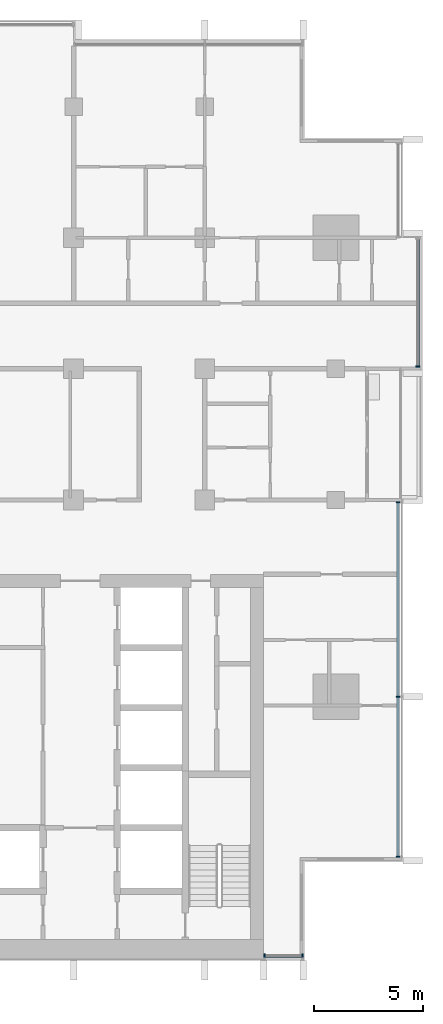
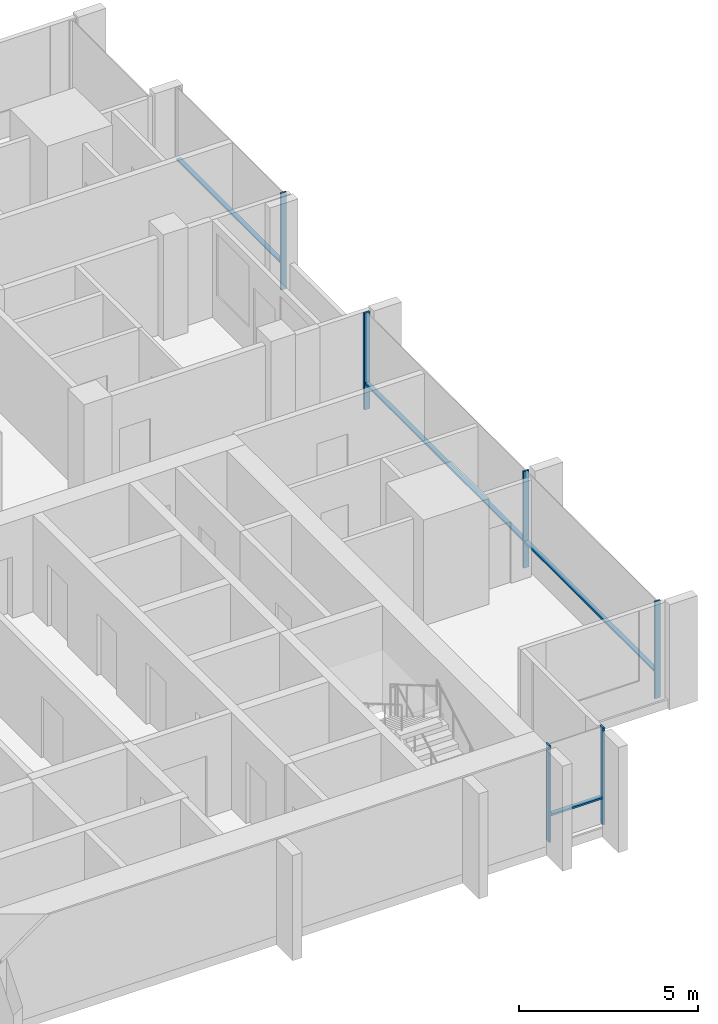
# One storey, part 3 of 16: 10 members, 3 elements without a shape of their own.
"""IFC4 building model written with IfcOpenShell, lengths in metres."""

from ifc_helpers import new_model, si_unit, direction, frame, origin, origin_2d, place, context, subcontext, project, spatial, rectangle, extrude, material, material_profile, profile_set, type_object, element, aggregate, save


model = new_model("IFC4")

# Units and contexts
model_context = context("Model", 3, precision=1e-05, world=origin(), true_north=direction((0.0, 1.0)))
body_context = subcontext(model_context, "Body", "Model", "MODEL_VIEW")
ifc_project = project(units=[si_unit("LENGTHUNIT", "METRE"), si_unit("AREAUNIT", "SQUARE_METRE"), si_unit("VOLUMEUNIT", "CUBIC_METRE"), si_unit("PLANEANGLEUNIT", "RADIAN"), si_unit("MASSUNIT", "GRAM", prefix="KILO")], contexts=[model_context])

# Site, building, storey
site_placement = place(None, origin())
site = spatial("IfcSite", under=ifc_project, at=site_placement, CompositionType="ELEMENT")
building_placement = place(site_placement, origin())
building = spatial("IfcBuilding", under=site, at=building_placement, Name="Finial Court Residences", CompositionType="ELEMENT")
storey_placement = place(building_placement, frame((0.0, 0.0, 208.699951171875)))
storey = spatial("IfcBuildingStorey", under=building, at=storey_placement, Name="L52", CompositionType="ELEMENT", Elevation=208.699951171875)

# Curtain wall, members
ifc_material = material(Name="Bronze anodised aluminium", Category="aluminium")
curtain_wall_type = type_object("IfcCurtainWallType", Name="Unitised curtain wall, upper zones", PredefinedType="NOTDEFINED", material=ifc_material)
curtain_wall_1_placement = place(storey_placement, origin())
curtain_wall_1 = element("IfcCurtainWall", 1, at=curtain_wall_1_placement, inside=storey, type_object=curtain_wall_type, Name="E-L52-CW-E4", PredefinedType="NOTDEFINED")
ifc_material_profile_1 = material_profile(ifc_material, rectangle(XDim=0.175048828125, YDim=0.06005859375, at=origin_2d()), Name="CW2 mullion 60 x 175")
ifc_profile_set_1 = profile_set([ifc_material_profile_1], Name="Bronze anodised aluminium")
member_type_1 = type_object("IfcMemberType", Name="CW2 mullion 60 x 175", PredefinedType="MULLION", material=ifc_profile_set_1)
member_1_placement = place(storey_placement, frame((19.35009765625, -20.820068359375, 0.0), z_axis=(0.0, 0.0, 1.0), x_axis=(-1.0, 0.0, 0.0)))
member_1 = element("IfcMember", 2, at=member_1_placement, type_object=member_type_1, Name="CW2 mullion 1", PredefinedType="MULLION", context=body_context, shape_type="SweptSolid", body=[
    extrude(rectangle(XDim=0.175048828125, YDim=0.06005859375, at=origin_2d()), origin(), (0.0, 0.0, 1.0), 3.300048828125),
])
member_2_placement = place(storey_placement, frame((19.35009765625, -13.5, 0.0), z_axis=(0.0, 0.0, 1.0), x_axis=(-1.0, 0.0, 0.0)))
member_2 = element("IfcMember", 3, at=member_2_placement, type_object=member_type_1, Name="CW2 mullion 2", PredefinedType="MULLION", context=body_context, shape_type="SweptSolid", body=[
    extrude(rectangle(XDim=0.175048828125, YDim=0.06005859375, at=origin_2d()), origin(), (0.0, 0.0, 1.0), 3.300048828125),
])
member_3_placement = place(storey_placement, frame((19.35009765625, -4.60498046875, 0.0), z_axis=(0.0, 0.0, 1.0), x_axis=(-1.0, 0.0, 0.0)))
member_3 = element("IfcMember", 4, at=member_3_placement, type_object=member_type_1, Name="CW2 mullion 3", PredefinedType="MULLION", context=body_context, shape_type="SweptSolid", body=[
    extrude(rectangle(XDim=0.175048828125, YDim=0.06005859375, at=origin_2d()), origin(), (0.0, 0.0, 1.0), 3.300048828125),
])

# Curtain wall, member
curtain_wall_2_placement = place(storey_placement, origin())
curtain_wall_2 = element("IfcCurtainWall", 5, at=curtain_wall_2_placement, inside=storey, type_object=curtain_wall_type, Name="E-L52-CW-E5", PredefinedType="NOTDEFINED")
member_4_placement = place(storey_placement, frame((20.25, 1.60498046875, 0.0), z_axis=(0.0, 0.0, 1.0), x_axis=(-1.0, 0.0, 0.0)))
member_4 = element("IfcMember", 6, at=member_4_placement, type_object=member_type_1, Name="CW2 mullion 1", PredefinedType="MULLION", context=body_context, shape_type="SweptSolid", body=[
    extrude(rectangle(XDim=0.175048828125, YDim=0.06005859375, at=origin_2d()), origin(), (0.0, 0.0, 1.0), 3.300048828125),
])

# Curtain wall, members
curtain_wall_3_placement = place(storey_placement, origin())
curtain_wall_3 = element("IfcCurtainWall", 7, at=curtain_wall_3_placement, inside=storey, type_object=curtain_wall_type, Name="E-L52-CW-S8", PredefinedType="NOTDEFINED")
member_5_placement = place(storey_placement, frame((13.22998046875, -25.35009765625, 0.0), z_axis=(0.0, 0.0, 1.0), x_axis=(0.0, 1.0, 0.0)))
member_5 = element("IfcMember", 8, at=member_5_placement, type_object=member_type_1, Name="CW2 mullion 1", PredefinedType="MULLION", context=body_context, shape_type="SweptSolid", body=[
    extrude(rectangle(XDim=0.175048828125, YDim=0.06005859375, at=origin_2d()), origin(), (0.0, 0.0, 1.0), 3.300048828125),
])
member_6_placement = place(storey_placement, frame((14.969970703125, -25.35009765625, 0.0), z_axis=(0.0, 0.0, 1.0), x_axis=(0.0, 1.0, 0.0)))
member_6 = element("IfcMember", 9, at=member_6_placement, type_object=member_type_1, Name="CW2 mullion 2", PredefinedType="MULLION", context=body_context, shape_type="SweptSolid", body=[
    extrude(rectangle(XDim=0.175048828125, YDim=0.06005859375, at=origin_2d()), origin(), (0.0, 0.0, 1.0), 3.300048828125),
])

# Member
ifc_material_profile_2 = material_profile(ifc_material, rectangle(XDim=0.139892578125, YDim=0.06005859375, at=origin_2d()), Name="CW2 transom 60 x 140")
ifc_profile_set_2 = profile_set([ifc_material_profile_2], Name="Bronze anodised aluminium")
member_type_2 = type_object("IfcMemberType", Name="CW2 transom 60 x 140", PredefinedType="USERDEFINED", material=ifc_profile_set_2)
member_7_placement = place(storey_placement, frame((19.35009765625, -20.7900390625, 0.900146484375), z_axis=(0.0, 1.0, 0.0), x_axis=(-1.0, 0.0, 0.0)))
member_7 = element("IfcMember", 10, at=member_7_placement, type_object=member_type_2, Name="CW2 transom 1.1", ObjectType="TRANSOM", PredefinedType="USERDEFINED", context=body_context, shape_type="SweptSolid", body=[
    extrude(rectangle(XDim=0.139892578125, YDim=0.06005859375, at=origin_2d()), origin(), (0.0, 0.0, 1.0), 7.260009765625),
])

member_8_placement = place(storey_placement, frame((19.35009765625, -13.469970703125, 0.900146484375), z_axis=(0.0, 1.0, 0.0), x_axis=(-1.0, 0.0, 0.0)))
member_8 = element("IfcMember", 11, at=member_8_placement, type_object=member_type_2, Name="CW2 transom 2.1", ObjectType="TRANSOM", PredefinedType="USERDEFINED", context=body_context, shape_type="SweptSolid", body=[
    extrude(rectangle(XDim=0.139892578125, YDim=0.06005859375, at=origin_2d()), origin(), (0.0, 0.0, 1.0), 8.8349609375),
])

aggregate(curtain_wall_1, [member_1, member_2, member_3, member_7, member_8])

member_9_placement = place(storey_placement, frame((20.25, 1.635009765625, 0.900146484375), z_axis=(0.0, 1.0, 0.0), x_axis=(-1.0, 0.0, 0.0)))
member_9 = element("IfcMember", 12, at=member_9_placement, type_object=member_type_2, Name="CW2 transom 1.1", ObjectType="TRANSOM", PredefinedType="USERDEFINED", context=body_context, shape_type="SweptSolid", body=[
    extrude(rectangle(XDim=0.139892578125, YDim=0.06005859375, at=origin_2d()), origin(), (0.0, 0.0, 1.0), 5.804931640625),
])

aggregate(curtain_wall_2, [member_4, member_9])

member_10_placement = place(storey_placement, frame((13.260009765625, -25.35009765625, 0.900146484375), z_axis=(1.0, 0.0, 0.0), x_axis=(0.0, 1.0, 0.0)))
member_10 = element("IfcMember", 13, at=member_10_placement, type_object=member_type_2, Name="CW2 transom 1.1", ObjectType="TRANSOM", PredefinedType="USERDEFINED", context=body_context, shape_type="SweptSolid", body=[
    extrude(rectangle(XDim=0.139892578125, YDim=0.06005859375, at=origin_2d()), origin(), (0.0, 0.0, 1.0), 1.679931640625),
])

aggregate(curtain_wall_3, [member_5, member_6, member_10])

save(model, "model.ifc")
